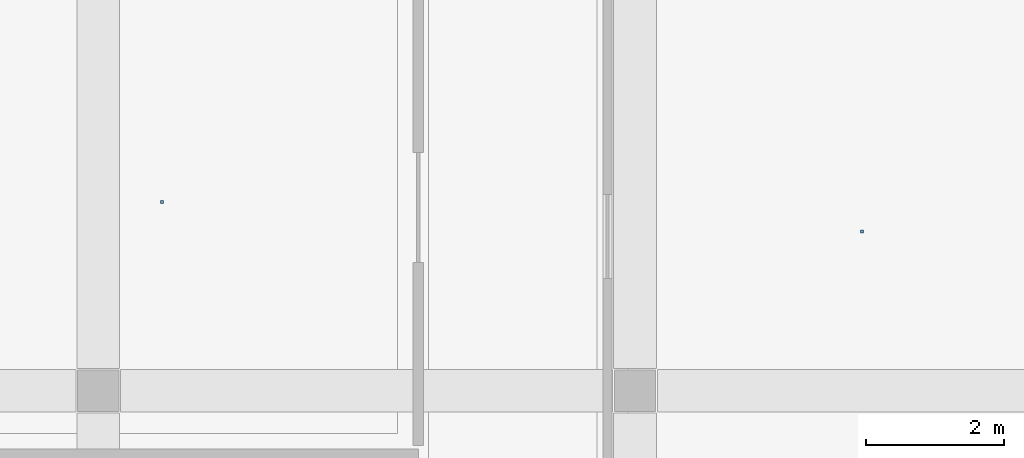
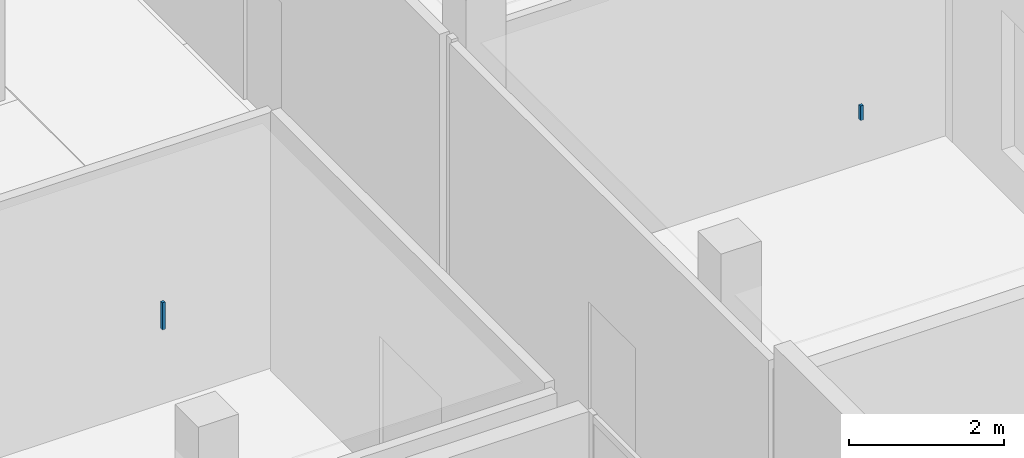
# One storey, part 68 of 88: 2 discrete accessories.
"""IFC4 building model written with IfcOpenShell, lengths in metres."""

from ifc_helpers import new_model, si_unit, derived_unit, direction, frame, origin, origin_2d, place, context, subcontext, project, spatial, rectangle, extrude, material, type_object, element, save


model = new_model("IFC4")

# Units and contexts
model_context = context("Model", 3, precision=1e-05, world=origin(), true_north=direction((0.0, 1.0)))
body_context = subcontext(model_context, "Body", "Model", "MODEL_VIEW")
ifc_project = project(units=[si_unit("LENGTHUNIT", "METRE"), si_unit("AREAUNIT", "SQUARE_METRE"), si_unit("VOLUMEUNIT", "CUBIC_METRE"), si_unit("PLANEANGLEUNIT", "RADIAN"), si_unit("MASSUNIT", "GRAM", prefix="KILO"), derived_unit("THERMALTRANSMITTANCEUNIT", [(si_unit("POWERUNIT", "WATT"), 1), (si_unit("LENGTHUNIT", "METRE"), -2), (si_unit("THERMODYNAMICTEMPERATUREUNIT", "KELVIN"), -1)])], contexts=[model_context])

# Site, building, storey
site_placement = place(None, origin())
site = spatial("IfcSite", under=ifc_project, at=site_placement, CompositionType="ELEMENT")
building_placement = place(site_placement, origin())
building = spatial("IfcBuilding", under=site, at=building_placement, Name="Braskholm Square Health Centre", CompositionType="ELEMENT")
storey_placement = place(building_placement, origin())
storey = spatial("IfcBuildingStorey", under=building, at=storey_placement, Name="L01", CompositionType="ELEMENT", Elevation=0.0)

# Discrete accessories
ifc_material = material(Name="Steel ASTM A500 Grade C", Category="steel")
discrete_accessory_type = type_object("IfcDiscreteAccessoryType", Name="CeilingSuspensionBracket", PredefinedType="BRACKET", material=ifc_material)
discrete_accessory_1_placement = place(storey_placement, frame((159.89697265625, 82.9150390625, 4.08203125), z_axis=(0.0, 0.0, 1.0), x_axis=(1.0, 0.0, 0.0)))
element("IfcDiscreteAccessory", 1, at=discrete_accessory_1_placement, inside=storey, type_object=discrete_accessory_type, Name="Ceiling hanger bracket 0120", PredefinedType="BRACKET", context=body_context, shape_type="SweptSolid", body=[
    extrude(rectangle(XDim=0.044921875, YDim=0.044921875, at=origin_2d()), origin(), (0.0, 0.0, 1.0), 0.22998046875),
])
discrete_accessory_2_placement = place(storey_placement, frame((149.72705078125, 83.340087890625, 4.08203125), z_axis=(0.0, 0.0, 1.0), x_axis=(1.0, 0.0, 0.0)))
element("IfcDiscreteAccessory", 2, at=discrete_accessory_2_placement, inside=storey, type_object=discrete_accessory_type, Name="Ceiling hanger bracket 0128", PredefinedType="BRACKET", context=body_context, shape_type="SweptSolid", body=[
    extrude(rectangle(XDim=0.044921875, YDim=0.044921875, at=origin_2d()), origin(), (0.0, 0.0, 1.0), 0.429931640625),
])

save(model, "model.ifc")
